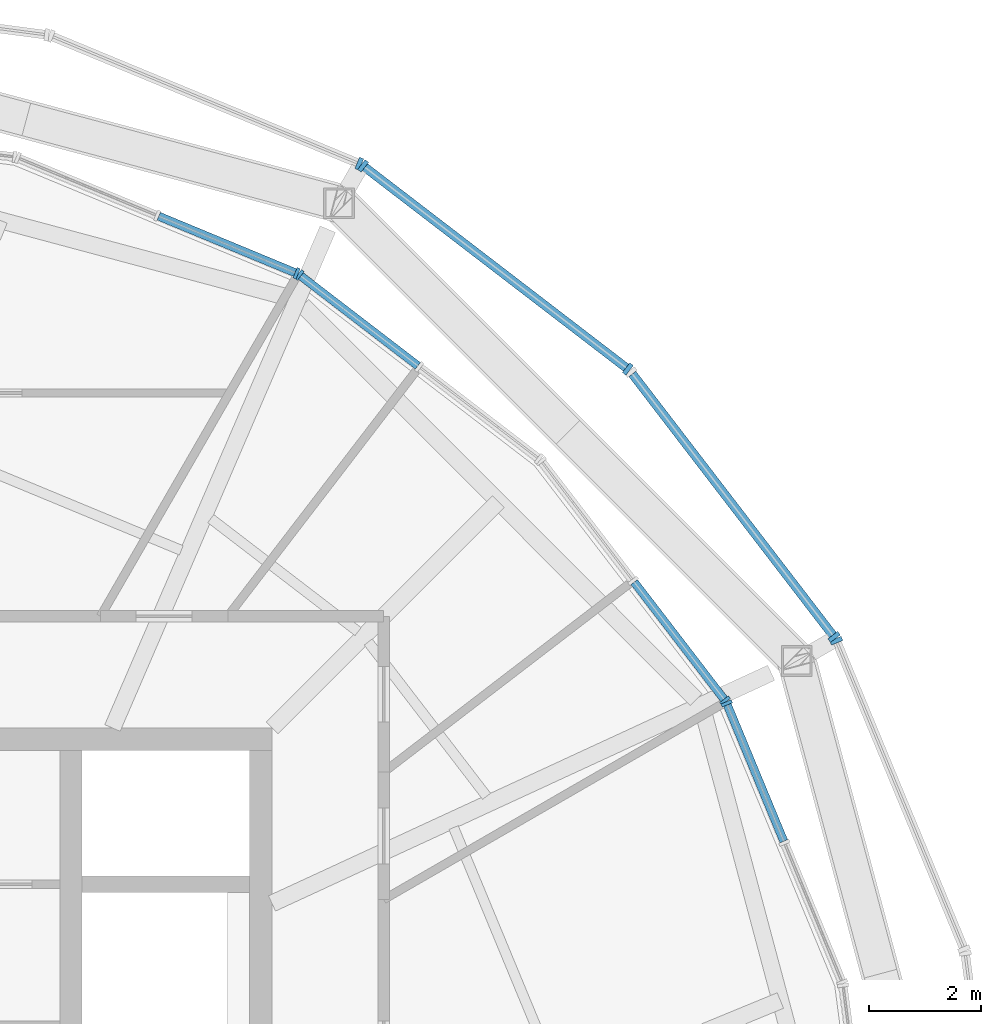
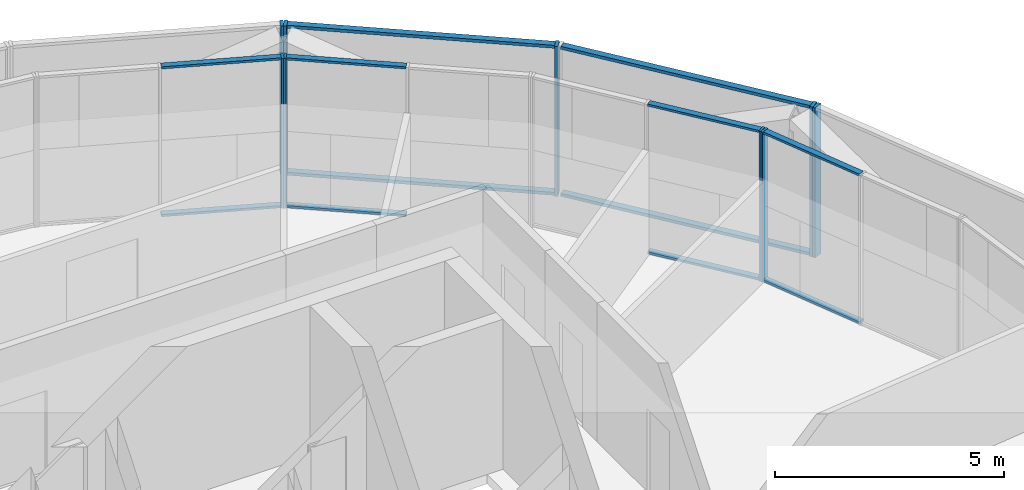
# One storey, part 9 of 17: 21 members, 8 elements without a shape of their own.
"""IFC4 building model written with IfcOpenShell, lengths in metres."""

import ifcopenshell
import ifcopenshell.guid

model = None  # the IFC model being written
_history = None  # IfcOwnerHistory: only IFC2X3 demands one
_inside = {}  # id of a spatial element -> (the spatial element, [elements in it])
_under = {}  # id of a project, library or spatial element -> (it, [spatial elements below it])
_declared = {}  # id of a project -> (the project, [libraries it declares])
_typed = {}  # id of a type object -> (the type object, [elements of that type])
_made_of = {}  # id of a material, layer set ... -> (it, [elements and type objects made of it])


def new_model(schema):
    """Start an empty IFC model of exactly this schema.

    Asked for "IFC4X3", IfcOpenShell would pick the latest addendum, in which some entities
    have other attributes; the version numbers below select the first issue.
    IFC2X3 requires an IfcOwnerHistory on every rooted entity: one is made here for all.
    """
    global model, _history
    if schema == "IFC4X3":
        model = ifcopenshell.file(schema_version=(4, 3, 0, 0))
    else:
        model = ifcopenshell.file(schema=schema)
    _inside.clear()
    _under.clear()
    _declared.clear()
    _typed.clear()
    _made_of.clear()
    _history = None
    if model.schema == "IFC2X3":
        org = make("IfcOrganization", Name="unknown")
        user = make(
            "IfcPersonAndOrganization",
            ThePerson=make("IfcPerson", FamilyName="unknown"),
            TheOrganization=org,
        )
        app = make(
            "IfcApplication",
            ApplicationDeveloper=org,
            Version="unknown",
            ApplicationFullName="unknown",
            ApplicationIdentifier="unknown",
        )
        _history = make(
            "IfcOwnerHistory",
            OwningUser=user,
            OwningApplication=app,
            ChangeAction="ADDED",
            CreationDate=0,
        )
    return model


def make(cls, **values):
    """One entity of the class cls with the attributes given. An attribute that is None is left unset."""
    return model.create_entity(
        cls, **{name: value for name, value in values.items() if value is not None}
    )


def rooted(cls, **values):
    """An entity with a GlobalId (a new one), such as an element, a storey or a relation."""
    return make(cls, GlobalId=ifcopenshell.guid.new(), OwnerHistory=_history, **values)


def si_unit(unit_type, name, prefix=None):
    """IfcSIUnit, for example si_unit("LENGTHUNIT", "METRE", prefix="MILLI")."""
    return make("IfcSIUnit", UnitType=unit_type, Prefix=prefix, Name=name)


def assignment(units):
    """IfcUnitAssignment: the units of a project."""
    return None if units is None else make("IfcUnitAssignment", Units=units)


def point(xyz):
    """IfcCartesianPoint."""
    return None if xyz is None else make("IfcCartesianPoint", Coordinates=xyz)


def direction(xyz):
    """IfcDirection."""
    return None if xyz is None else make("IfcDirection", DirectionRatios=xyz)


def frame(location, z_axis=None, x_axis=None):
    """IfcAxis2Placement3D, a coordinate frame: its origin and axes. An axis left out is left unset."""
    return make(
        "IfcAxis2Placement3D",
        Location=point(location),
        Axis=direction(z_axis),
        RefDirection=direction(x_axis),
    )


def frame_2d(location, x_axis=None):
    """IfcAxis2Placement2D, a coordinate frame in the plane: its origin and x axis."""
    return make(
        "IfcAxis2Placement2D", Location=point(location), RefDirection=direction(x_axis)
    )


def origin():
    """The frame at (0, 0, 0) with its axes left unset."""
    return frame((0.0, 0.0, 0.0))


def origin_2d():
    """The frame at (0, 0) in the plane with its x axis left unset."""
    return frame_2d((0.0, 0.0))


def place(relative_to, where):
    """IfcLocalPlacement: puts the frame where relative to a parent placement (None: the world)."""
    return make(
        "IfcLocalPlacement", PlacementRelTo=relative_to, RelativePlacement=where
    )


def context(
    kind, dimensions, precision=None, world=None, true_north=None, identifier=None
):
    """IfcGeometricRepresentationContext, for example the 3D "Model" context."""
    return make(
        "IfcGeometricRepresentationContext",
        ContextIdentifier=identifier,
        ContextType=kind,
        CoordinateSpaceDimension=dimensions,
        Precision=precision,
        WorldCoordinateSystem=world,
        TrueNorth=true_north,
    )


def subcontext(parent, identifier, kind, view, scale=None):
    """IfcGeometricRepresentationSubContext, for example "Body" below "Model"."""
    return make(
        "IfcGeometricRepresentationSubContext",
        ContextIdentifier=identifier,
        ContextType=kind,
        ParentContext=parent,
        TargetScale=scale,
        TargetView=view,
    )


def project(units=None, contexts=None):
    """IfcProject with its units and contexts."""
    return rooted(
        "IfcProject",
        Name="project",
        RepresentationContexts=contexts,
        UnitsInContext=assignment(units),
    )


def spatial(cls, under=None, at=None, **own):
    """A site, building, storey or space (cls), placed at a placement, below another one or the project."""
    s = rooted(cls, ObjectPlacement=at, **own)
    if under is not None:
        _under.setdefault(under.id(), (under, []))[1].append(s)
    return s


def profile(cls, at=None, kind="AREA", **sizes):
    """A parametric profile (cls). Its sizes go by their IFC names, for example OverallWidth=200.0."""
    return make(cls, ProfileType=kind, Position=at, **sizes)


def rectangle(**sizes):
    """IfcRectangleProfileDef."""
    return profile("IfcRectangleProfileDef", **sizes)


def extrude(swept, where, along, depth):
    """IfcExtrudedAreaSolid: the profile swept, set in the frame where, extruded along a direction by depth."""
    return make(
        "IfcExtrudedAreaSolid",
        SweptArea=swept,
        Position=where,
        ExtrudedDirection=direction(along),
        Depth=depth,
    )


def shape(context_of_items, identifier, shape_type, items):
    """IfcShapeRepresentation: the items that make up one representation, for example the "Body"."""
    return make(
        "IfcShapeRepresentation",
        ContextOfItems=context_of_items,
        RepresentationIdentifier=identifier,
        RepresentationType=shape_type,
        Items=items,
    )


def material(Name=None, Category=None):
    """IfcMaterial."""
    return make("IfcMaterial", Name=Name, Category=Category)


def material_profile(
    of_material, cross_section, Name=None, Category=None, Priority=None
):
    """IfcMaterialProfile: a cross section and its material."""
    return make(
        "IfcMaterialProfile",
        Name=Name,
        Material=of_material,
        Profile=cross_section,
        Priority=Priority,
        Category=Category,
    )


def profile_set(profiles, Name=None, composite=None):
    """IfcMaterialProfileSet."""
    return make(
        "IfcMaterialProfileSet",
        Name=Name,
        MaterialProfiles=profiles,
        CompositeProfile=composite,
    )


def made_of(thing, what):
    """Note that an element or type object is made of a material, layer set ...; save() writes the relation."""
    if what is not None:
        _made_of.setdefault(what.id(), (what, []))[1].append(thing)
    return thing


def type_object(cls, material=None, **own):
    """A type object (cls), such as IfcWallType, which elements share."""
    return made_of(rooted(cls, **own), material)


def element(
    cls,
    number,
    at=None,
    inside=None,
    cuts=None,
    type_object=None,
    material=None,
    context=None,
    identifier="Body",
    shape_type=None,
    held_by="IfcProductDefinitionShape",
    body=None,
    shapes=None,
    **own,
):
    """One element of the class cls, such as IfcWall. Its Tag is "e" and its number.

    at: its placement. inside: the storey or other place that contains it. cuts: it is an
    opening in that element (IfcRelVoidsElement). A single representation is given by context,
    identifier, shape_type and body (its items); several are given by shapes. held_by: the class
    of the entity that holds the representations. save() writes the other relations.
    """
    e = rooted(cls, Tag="e%d" % number, ObjectPlacement=at, **own)
    if body is not None:
        shapes = [shape(context, identifier, shape_type, body)]
    if shapes is not None:
        e.Representation = make(held_by, Representations=shapes)
    if inside is not None:
        _inside.setdefault(inside.id(), (inside, []))[1].append(e)
    if cuts is not None:
        rooted(
            "IfcRelVoidsElement", RelatingBuildingElement=cuts, RelatedOpeningElement=e
        )
    if type_object is not None:
        _typed.setdefault(type_object.id(), (type_object, []))[1].append(e)
    return made_of(e, material)


def aggregate(whole, parts):
    """IfcRelAggregates: a whole, such as a stair, and the parts it consists of."""
    return rooted("IfcRelAggregates", RelatingObject=whole, RelatedObjects=parts)


def save(model, path):
    """Write the relations noted so far, then the file.

    IfcRelAggregates (storeys below a building ...), IfcRelContainedInSpatialStructure (elements
    in a storey), IfcRelDefinesByType, IfcRelAssociatesMaterial and IfcRelDeclares: one each for
    every whole, place, type object, material and project.
    """
    for whole, parts in _under.values():
        aggregate(whole, parts)
    for where, things in _inside.values():
        rooted(
            "IfcRelContainedInSpatialStructure",
            RelatedElements=things,
            RelatingStructure=where,
        )
    for kind, things in _typed.values():
        rooted("IfcRelDefinesByType", RelatedObjects=things, RelatingType=kind)
    for what, things in _made_of.values():
        rooted("IfcRelAssociatesMaterial", RelatedObjects=things, RelatingMaterial=what)
    for by, libraries in _declared.values():
        rooted("IfcRelDeclares", RelatingContext=by, RelatedDefinitions=libraries)
    model.write(path)


model = new_model("IFC4")

# Units and contexts
model_context = context("Model", 3, precision=1e-05, world=origin(), true_north=direction((0.0, 1.0)))
body_context = subcontext(model_context, "Body", "Model", "MODEL_VIEW")
ifc_project = project(units=[si_unit("LENGTHUNIT", "METRE"), si_unit("AREAUNIT", "SQUARE_METRE"), si_unit("VOLUMEUNIT", "CUBIC_METRE"), si_unit("PLANEANGLEUNIT", "RADIAN"), si_unit("MASSUNIT", "GRAM", prefix="KILO")], contexts=[model_context])

# Site, building, storey
site_placement = place(None, origin())
site = spatial("IfcSite", under=ifc_project, at=site_placement, CompositionType="ELEMENT")
building_placement = place(site_placement, origin())
building = spatial("IfcBuilding", under=site, at=building_placement, Name="Golbaran Civic Tower", CompositionType="ELEMENT")
storey_placement = place(building_placement, frame((0.0, 0.0, 280.0)))
storey = spatial("IfcBuildingStorey", under=building, at=storey_placement, Name="L68", CompositionType="ELEMENT", Elevation=280.0)

# Curtain wall, member
ifc_material_1 = material(Name="Aluminium and glass", Category="aluminium")
curtain_wall_type_1 = type_object("IfcCurtainWallType", Name="INNER SKIN CURTAIN WALL EXECUTIVE", PredefinedType="NOTDEFINED", material=ifc_material_1)
curtain_wall_1_placement = place(storey_placement, origin())
curtain_wall_1 = element("IfcCurtainWall", 1, at=curtain_wall_1_placement, inside=storey, type_object=curtain_wall_type_1, Name="Inner skin L68 facet 2 CW2", ObjectType="INNER SKIN", PredefinedType="USERDEFINED")
ifc_material_2 = material(Name="Aluminium", Category="aluminium")
ifc_material_profile_1 = material_profile(ifc_material_2, rectangle(XDim=0.199951171875, YDim=0.06005859375, at=origin_2d()), Name="INNER SKIN CURTAIN WALL EXECUTIVE MULLION")
ifc_profile_set_1 = profile_set([ifc_material_profile_1], Name="Aluminium")
member_type_1 = type_object("IfcMemberType", Name="INNER SKIN CURTAIN WALL EXECUTIVE MULLION", PredefinedType="MULLION", material=ifc_profile_set_1)
member_1_placement = place(storey_placement, frame((18.1435546875, 10.440673828125, 0.0), z_axis=(0.0, 0.0, 1.0), x_axis=(-0.923879532518, -0.382683432349, 0.0)))
member_1 = element("IfcMember", 2, at=member_1_placement, type_object=member_type_1, Name="CW2 mullion 3", PredefinedType="MULLION", context=body_context, shape_type="SweptSolid", body=[
    extrude(rectangle(XDim=0.199951171875, YDim=0.06005859375, at=origin_2d()), origin(), (0.0, 0.0, 1.0), 4.0),
])

curtain_wall_2_placement = place(storey_placement, origin())
curtain_wall_2 = element("IfcCurtainWall", 3, at=curtain_wall_2_placement, inside=storey, type_object=curtain_wall_type_1, Name="Inner skin L68 facet 3 CW2", ObjectType="INNER SKIN", PredefinedType="USERDEFINED")
member_2_placement = place(storey_placement, frame((18.11376953125, 10.4921875, 0.0), z_axis=(0.0, 0.0, 1.0), x_axis=(-0.793353340344, -0.608761428939, 0.0)))
member_2 = element("IfcMember", 4, at=member_2_placement, type_object=member_type_1, Name="CW2 mullion 1", PredefinedType="MULLION", context=body_context, shape_type="SweptSolid", body=[
    extrude(rectangle(XDim=0.199951171875, YDim=0.06005859375, at=origin_2d()), origin(), (0.0, 0.0, 1.0), 4.0),
])

curtain_wall_3_placement = place(storey_placement, origin())
curtain_wall_3 = element("IfcCurtainWall", 5, at=curtain_wall_3_placement, inside=storey, type_object=curtain_wall_type_1, Name="Inner skin L68 facet 4 CW2", ObjectType="INNER SKIN", PredefinedType="USERDEFINED")
member_3_placement = place(storey_placement, frame((10.4921875, 18.11376953125, 0.0), z_axis=(0.0, 0.0, 1.0), x_axis=(-0.608761428939, -0.793353340344, 0.0)))
member_3 = element("IfcMember", 6, at=member_3_placement, type_object=member_type_1, Name="CW2 mullion 3", PredefinedType="MULLION", context=body_context, shape_type="SweptSolid", body=[
    extrude(rectangle(XDim=0.199951171875, YDim=0.06005859375, at=origin_2d()), origin(), (0.0, 0.0, 1.0), 4.0),
])

curtain_wall_4_placement = place(storey_placement, origin())
curtain_wall_4 = element("IfcCurtainWall", 7, at=curtain_wall_4_placement, inside=storey, type_object=curtain_wall_type_1, Name="Inner skin L68 facet 5 CW2", ObjectType="INNER SKIN", PredefinedType="USERDEFINED")
member_4_placement = place(storey_placement, frame((10.440673828125, 18.1435546875, 0.0), z_axis=(0.0, 0.0, 1.0), x_axis=(-0.382683432349, -0.923879532518, 0.0)))
member_4 = element("IfcMember", 8, at=member_4_placement, type_object=member_type_1, Name="CW2 mullion 1", PredefinedType="MULLION", context=body_context, shape_type="SweptSolid", body=[
    extrude(rectangle(XDim=0.199951171875, YDim=0.06005859375, at=origin_2d()), origin(), (0.0, 0.0, 1.0), 4.0),
])

# Member
ifc_material_profile_2 = material_profile(ifc_material_2, rectangle(XDim=0.14990234375, YDim=0.06005859375, at=origin_2d()), Name="INNER SKIN CURTAIN WALL EXECUTIVE TRANSOM")
ifc_profile_set_2 = profile_set([ifc_material_profile_2], Name="Aluminium")
member_type_2 = type_object("IfcMemberType", Name="INNER SKIN CURTAIN WALL EXECUTIVE TRANSOM", PredefinedType="USERDEFINED", material=ifc_profile_set_2)
member_5_placement = place(storey_placement, frame((19.166259765625, 7.971435546875, 0.030029296875), z_axis=(-0.382640076339, 0.923897489973, 0.0), x_axis=(-0.923897489973, -0.382640076339, 0.0)))
member_5 = element("IfcMember", 9, at=member_5_placement, type_object=member_type_2, Name="CW2 transom 2.1", ObjectType="TRANSOM", PredefinedType="USERDEFINED", context=body_context, shape_type="SweptSolid", body=[
    extrude(rectangle(XDim=0.14990234375, YDim=0.06005859375, at=origin_2d()), origin(), (0.0, 0.0, 1.0), 2.642822265625),
])

member_6_placement = place(storey_placement, frame((19.166259765625, 7.971435546875, 3.969970703125), z_axis=(-0.382640076339, 0.923897489973, 0.0), x_axis=(-0.923897489973, -0.382640076339, 0.0)))
member_6 = element("IfcMember", 10, at=member_6_placement, type_object=member_type_2, Name="CW2 transom 2.2", ObjectType="TRANSOM", PredefinedType="USERDEFINED", context=body_context, shape_type="SweptSolid", body=[
    extrude(rectangle(XDim=0.14990234375, YDim=0.06005859375, at=origin_2d()), origin(), (0.0, 0.0, 1.0), 2.642822265625),
])

aggregate(curtain_wall_1, [member_1, member_5, member_6])

member_7_placement = place(storey_placement, frame((18.095458984375, 10.51611328125, 0.030029296875), z_axis=(-0.608772815079, 0.793344603323, 0.0), x_axis=(-0.793344603323, -0.608772815079, 0.0)))
member_7 = element("IfcMember", 11, at=member_7_placement, type_object=member_type_2, Name="CW2 transom 1.1", ObjectType="TRANSOM", PredefinedType="USERDEFINED", context=body_context, shape_type="SweptSolid", body=[
    extrude(rectangle(XDim=0.14990234375, YDim=0.06005859375, at=origin_2d()), origin(), (0.0, 0.0, 1.0), 2.642822265625),
])

member_8_placement = place(storey_placement, frame((18.095458984375, 10.51611328125, 3.969970703125), z_axis=(-0.608772815079, 0.793344603323, 0.0), x_axis=(-0.793344603323, -0.608772815079, 0.0)))
member_8 = element("IfcMember", 12, at=member_8_placement, type_object=member_type_2, Name="CW2 transom 1.2", ObjectType="TRANSOM", PredefinedType="USERDEFINED", context=body_context, shape_type="SweptSolid", body=[
    extrude(rectangle(XDim=0.14990234375, YDim=0.06005859375, at=origin_2d()), origin(), (0.0, 0.0, 1.0), 2.642822265625),
])

aggregate(curtain_wall_2, [member_2, member_7, member_8])

member_9_placement = place(storey_placement, frame((12.61279296875, 16.486572265625, 0.030029296875), z_axis=(-0.793344603323, 0.608772815079, 0.0), x_axis=(-0.608772815079, -0.793344603323, 0.0)))
member_9 = element("IfcMember", 13, at=member_9_placement, type_object=member_type_2, Name="CW2 transom 2.1", ObjectType="TRANSOM", PredefinedType="USERDEFINED", context=body_context, shape_type="SweptSolid", body=[
    extrude(rectangle(XDim=0.14990234375, YDim=0.06005859375, at=origin_2d()), origin(), (0.0, 0.0, 1.0), 2.642822265625),
])

member_10_placement = place(storey_placement, frame((12.61279296875, 16.486572265625, 3.969970703125), z_axis=(-0.793344603323, 0.608772815079, 0.0), x_axis=(-0.608772815079, -0.793344603323, 0.0)))
member_10 = element("IfcMember", 14, at=member_10_placement, type_object=member_type_2, Name="CW2 transom 2.2", ObjectType="TRANSOM", PredefinedType="USERDEFINED", context=body_context, shape_type="SweptSolid", body=[
    extrude(rectangle(XDim=0.14990234375, YDim=0.06005859375, at=origin_2d()), origin(), (0.0, 0.0, 1.0), 2.642822265625),
])

aggregate(curtain_wall_3, [member_3, member_9, member_10])

member_11_placement = place(storey_placement, frame((10.4130859375, 18.155029296875, 0.030029296875), z_axis=(-0.923897489973, 0.382640076339, 0.0), x_axis=(-0.382640076339, -0.923897489973, 0.0)))
member_11 = element("IfcMember", 15, at=member_11_placement, type_object=member_type_2, Name="CW2 transom 1.1", ObjectType="TRANSOM", PredefinedType="USERDEFINED", context=body_context, shape_type="SweptSolid", body=[
    extrude(rectangle(XDim=0.14990234375, YDim=0.06005859375, at=origin_2d()), origin(), (0.0, 0.0, 1.0), 2.642822265625),
])

member_12_placement = place(storey_placement, frame((10.4130859375, 18.155029296875, 3.969970703125), z_axis=(-0.923897489973, 0.382640076339, 0.0), x_axis=(-0.382640076339, -0.923897489973, 0.0)))
member_12 = element("IfcMember", 16, at=member_12_placement, type_object=member_type_2, Name="CW2 transom 1.2", ObjectType="TRANSOM", PredefinedType="USERDEFINED", context=body_context, shape_type="SweptSolid", body=[
    extrude(rectangle(XDim=0.14990234375, YDim=0.06005859375, at=origin_2d()), origin(), (0.0, 0.0, 1.0), 2.642822265625),
])

aggregate(curtain_wall_4, [member_4, member_11, member_12])

# Curtain wall, member
curtain_wall_type_2 = type_object("IfcCurtainWallType", Name="OUTER SKIN TERRACOTTA SCREEN", PredefinedType="NOTDEFINED", material=ifc_material_1)
curtain_wall_5_placement = place(storey_placement, origin())
curtain_wall_5 = element("IfcCurtainWall", 17, at=curtain_wall_5_placement, inside=storey, type_object=curtain_wall_type_2, Name="Outer skin L68 facet 2 CW3", ObjectType="OUTER SKIN", PredefinedType="USERDEFINED")
ifc_material_profile_3 = material_profile(ifc_material_2, rectangle(XDim=0.219970703125, YDim=0.080078125, at=origin_2d()), Name="OUTER SKIN TERRACOTTA SCREEN MULLION")
ifc_profile_set_3 = profile_set([ifc_material_profile_3], Name="Aluminium")
member_type_3 = type_object("IfcMemberType", Name="OUTER SKIN TERRACOTTA SCREEN MULLION", PredefinedType="MULLION", material=ifc_profile_set_3)
member_13_placement = place(storey_placement, frame((20.107177734375, 11.56298828125, -0.7099609375), z_axis=(0.0, 0.0, 1.0), x_axis=(-0.923879532525, -0.382683432333, 0.0)))
member_13 = element("IfcMember", 18, at=member_13_placement, type_object=member_type_3, Name="CW3 mullion 2", PredefinedType="MULLION", context=body_context, shape_type="SweptSolid", body=[
    extrude(rectangle(XDim=0.219970703125, YDim=0.080078125, at=origin_2d()), origin(), (0.0, 0.0, 1.0), 4.0),
])
aggregate(curtain_wall_5, [member_13])

curtain_wall_6_placement = place(storey_placement, origin())
curtain_wall_6 = element("IfcCurtainWall", 19, at=curtain_wall_6_placement, inside=storey, type_object=curtain_wall_type_2, Name="Outer skin L68 facet 3 CW3", ObjectType="OUTER SKIN", PredefinedType="USERDEFINED")
member_14_placement = place(storey_placement, frame((20.0673828125, 11.6318359375, -0.7099609375), z_axis=(0.0, 0.0, 1.0), x_axis=(-0.793353340344, -0.608761428939, 0.0)))
member_14 = element("IfcMember", 20, at=member_14_placement, type_object=member_type_3, Name="CW3 mullion 1", PredefinedType="MULLION", context=body_context, shape_type="SweptSolid", body=[
    extrude(rectangle(XDim=0.219970703125, YDim=0.080078125, at=origin_2d()), origin(), (0.0, 0.0, 1.0), 4.0),
])

# Curtain wall, members
curtain_wall_7_placement = place(storey_placement, origin())
curtain_wall_7 = element("IfcCurtainWall", 21, at=curtain_wall_7_placement, inside=storey, type_object=curtain_wall_type_2, Name="Outer skin L68 facet 4 CW3", ObjectType="OUTER SKIN", PredefinedType="USERDEFINED")
member_15_placement = place(storey_placement, frame((16.373046875, 16.42919921875, -0.7099609375), z_axis=(0.0, 0.0, 1.0), x_axis=(-0.608761428939, -0.793353340344, 0.0)))
member_15 = element("IfcMember", 22, at=member_15_placement, type_object=member_type_3, Name="CW3 mullion 1", PredefinedType="MULLION", context=body_context, shape_type="SweptSolid", body=[
    extrude(rectangle(XDim=0.219970703125, YDim=0.080078125, at=origin_2d()), origin(), (0.0, 0.0, 1.0), 4.0),
])
member_16_placement = place(storey_placement, frame((11.6318359375, 20.0673828125, -0.7099609375), z_axis=(0.0, 0.0, 1.0), x_axis=(-0.608761428939, -0.793353340344, 0.0)))
member_16 = element("IfcMember", 23, at=member_16_placement, type_object=member_type_3, Name="CW3 mullion 2", PredefinedType="MULLION", context=body_context, shape_type="SweptSolid", body=[
    extrude(rectangle(XDim=0.219970703125, YDim=0.080078125, at=origin_2d()), origin(), (0.0, 0.0, 1.0), 4.0),
])

# Curtain wall, member
curtain_wall_8_placement = place(storey_placement, origin())
curtain_wall_8 = element("IfcCurtainWall", 24, at=curtain_wall_8_placement, inside=storey, type_object=curtain_wall_type_2, Name="Outer skin L68 facet 5 CW3", ObjectType="OUTER SKIN", PredefinedType="USERDEFINED")
member_17_placement = place(storey_placement, frame((11.56298828125, 20.107177734375, -0.7099609375), z_axis=(0.0, 0.0, 1.0), x_axis=(-0.382683432333, -0.923879532525, 0.0)))
member_17 = element("IfcMember", 25, at=member_17_placement, type_object=member_type_3, Name="CW3 mullion 1", PredefinedType="MULLION", context=body_context, shape_type="SweptSolid", body=[
    extrude(rectangle(XDim=0.219970703125, YDim=0.080078125, at=origin_2d()), origin(), (0.0, 0.0, 1.0), 4.0),
])
aggregate(curtain_wall_8, [member_17])

# Member
ifc_material_profile_4 = material_profile(ifc_material_2, rectangle(XDim=0.159912109375, YDim=0.080078125, at=origin_2d()), Name="OUTER SKIN TERRACOTTA SCREEN TRANSOM")
ifc_profile_set_4 = profile_set([ifc_material_profile_4], Name="Aluminium")
member_type_4 = type_object("IfcMemberType", Name="OUTER SKIN TERRACOTTA SCREEN TRANSOM", PredefinedType="USERDEFINED", material=ifc_profile_set_4)
member_18_placement = place(storey_placement, frame((20.04296875, 11.66357421875, -0.669921875), z_axis=(-0.608761817598, 0.793353042116, 0.0), x_axis=(-0.793353042116, -0.608761817598, 0.0)))
member_18 = element("IfcMember", 26, at=member_18_placement, type_object=member_type_4, Name="CW3 transom 1.1", ObjectType="TRANSOM", PredefinedType="USERDEFINED", context=body_context, shape_type="SweptSolid", body=[
    extrude(rectangle(XDim=0.159912109375, YDim=0.080078125, at=origin_2d()), origin(), (0.0, 0.0, 1.0), 5.896240234375),
])

member_19_placement = place(storey_placement, frame((20.04296875, 11.66357421875, 3.25), z_axis=(-0.608761817598, 0.793353042116, 0.0), x_axis=(-0.793353042116, -0.608761817598, 0.0)))
member_19 = element("IfcMember", 27, at=member_19_placement, type_object=member_type_4, Name="CW3 transom 1.2", ObjectType="TRANSOM", PredefinedType="USERDEFINED", context=body_context, shape_type="SweptSolid", body=[
    extrude(rectangle(XDim=0.159912109375, YDim=0.080078125, at=origin_2d()), origin(), (0.0, 0.0, 1.0), 5.896240234375),
])

aggregate(curtain_wall_6, [member_14, member_18, member_19])

member_20_placement = place(storey_placement, frame((16.34130859375, 16.45361328125, -0.669921875), z_axis=(-0.793353042116, 0.608761817598, 0.0), x_axis=(-0.608761817598, -0.793353042116, 0.0)))
member_20 = element("IfcMember", 28, at=member_20_placement, type_object=member_type_4, Name="CW3 transom 1.1", ObjectType="TRANSOM", PredefinedType="USERDEFINED", context=body_context, shape_type="SweptSolid", body=[
    extrude(rectangle(XDim=0.159912109375, YDim=0.080078125, at=origin_2d()), origin(), (0.0, 0.0, 1.0), 5.896240234375),
])

member_21_placement = place(storey_placement, frame((16.34130859375, 16.45361328125, 3.25), z_axis=(-0.793353042116, 0.608761817598, 0.0), x_axis=(-0.608761817598, -0.793353042116, 0.0)))
member_21 = element("IfcMember", 29, at=member_21_placement, type_object=member_type_4, Name="CW3 transom 1.2", ObjectType="TRANSOM", PredefinedType="USERDEFINED", context=body_context, shape_type="SweptSolid", body=[
    extrude(rectangle(XDim=0.159912109375, YDim=0.080078125, at=origin_2d()), origin(), (0.0, 0.0, 1.0), 5.896240234375),
])

aggregate(curtain_wall_7, [member_15, member_16, member_20, member_21])

save(model, "model.ifc")
